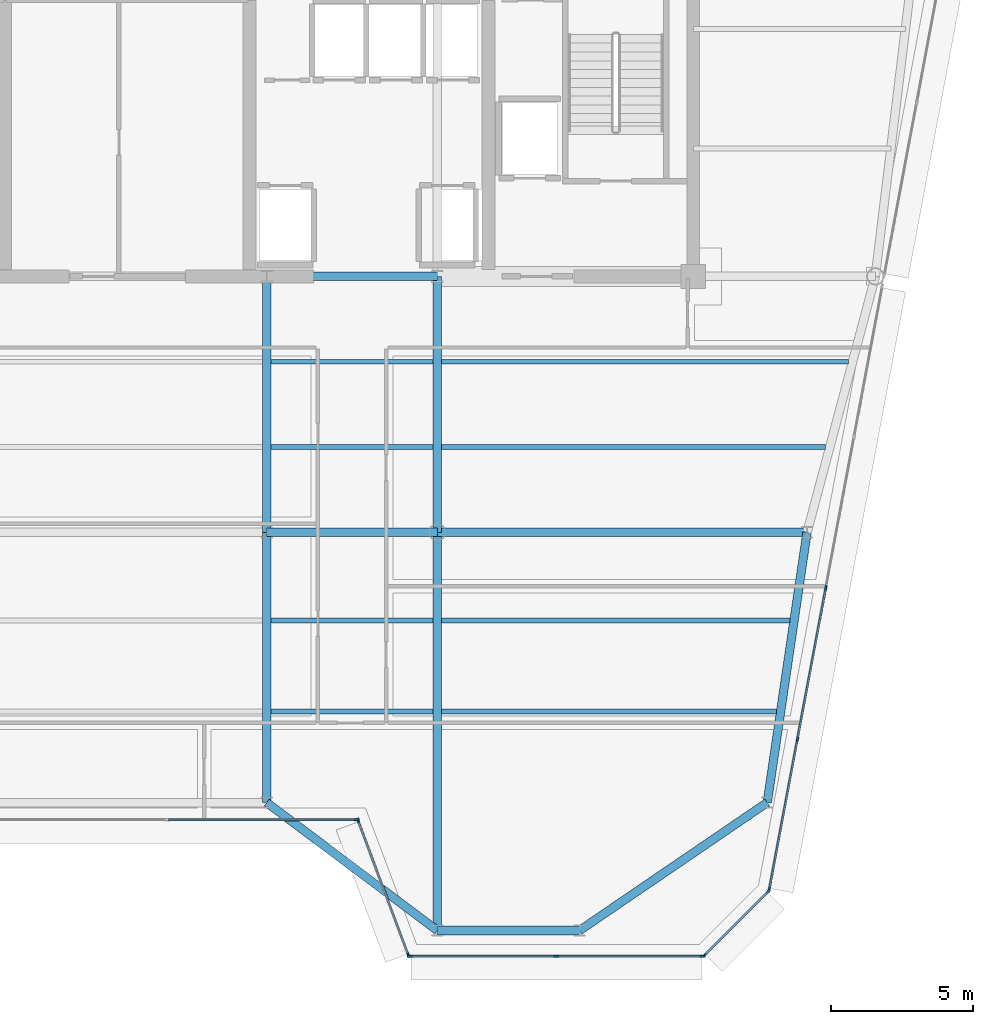
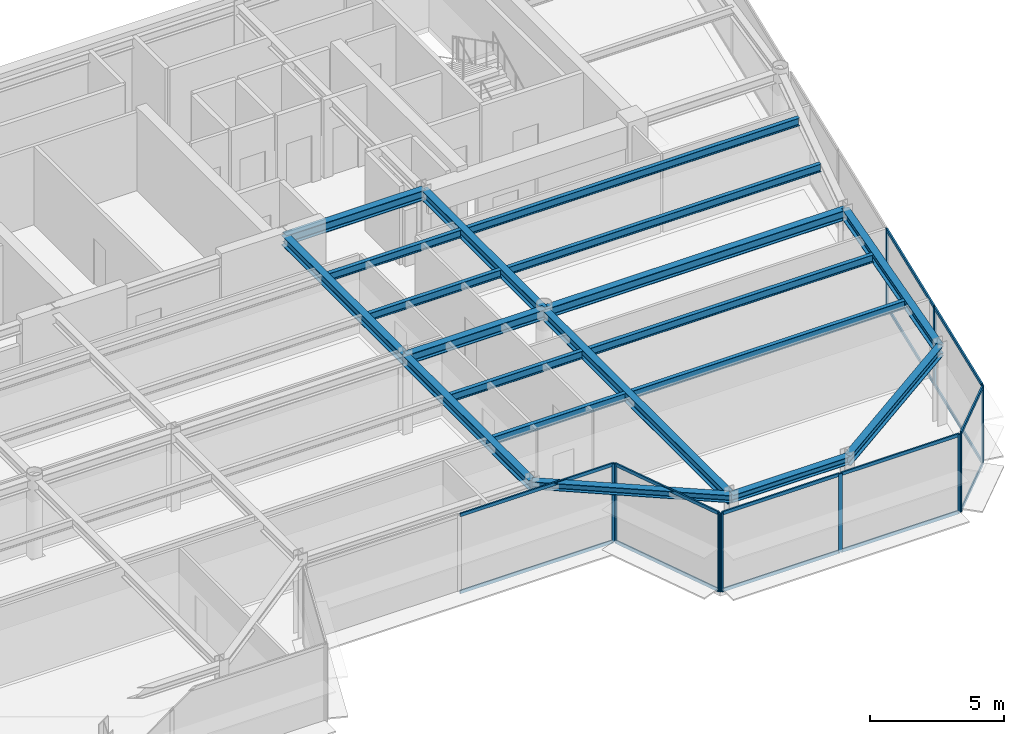
# One storey, part 6 of 19: 25 members, 19 beams, 5 elements without a shape of their own.
"""IFC4 building model written with IfcOpenShell, lengths in metres."""

from ifc_helpers import new_model, si_unit, direction, frame, origin, origin_2d, place, context, subcontext, project, spatial, rectangle, i_section, extrude, source, transform, mapped, material, layer, layer_set, material_profile, profile_set, type_object, element, aggregate, save


model = new_model("IFC4")

# Units and contexts
model_context = context("Model", 3, precision=1e-05, world=origin(), true_north=direction((0.0, 1.0)))
body_context = subcontext(model_context, "Body", "Model", "MODEL_VIEW")
ifc_project = project(units=[si_unit("LENGTHUNIT", "METRE"), si_unit("AREAUNIT", "SQUARE_METRE"), si_unit("VOLUMEUNIT", "CUBIC_METRE"), si_unit("PLANEANGLEUNIT", "RADIAN"), si_unit("MASSUNIT", "GRAM", prefix="KILO")], contexts=[model_context])

# Site, building, storey
site_placement = place(None, origin())
site = spatial("IfcSite", under=ifc_project, at=site_placement, CompositionType="ELEMENT")
building_placement = place(site_placement, origin())
building = spatial("IfcBuilding", under=site, at=building_placement, Name="Vaeldorn Concourse Tower", CompositionType="ELEMENT")
storey_placement = place(building_placement, frame((0.0, 0.0, 287.800048828125)))
storey = spatial("IfcBuildingStorey", under=building, at=storey_placement, Name="L74", CompositionType="ELEMENT", Elevation=287.800048828125)

# Beams
ifc_material_1 = material(Name="Steel S355", Category="steel")
ifc_material_profile_1 = material_profile(ifc_material_1, i_section(OverallWidth=0.300048828125, OverallDepth=0.449951171875, WebThickness=0.013916015625, FlangeThickness=0.02587890625, FilletRadius=0.027099609375, at=origin_2d()), Name="HEB 450")
ifc_profile_set_1 = profile_set([ifc_material_profile_1], Name="Steel S355")
beam_type_1 = type_object("IfcBeamType", Name="BM-PG-HEB450", PredefinedType="BEAM", material=ifc_profile_set_1)
shared_shape_1 = source(origin(), body_context, "Body", "SweptSolid", [
    extrude(i_section(OverallWidth=0.300048828125, OverallDepth=0.449951171875, WebThickness=0.013916015625, FlangeThickness=0.02587890625, FilletRadius=0.027099609375, at=origin_2d()), origin(), (0.0, 0.0, 1.0), 6.0),
])
for number, where, z_axis, x_axis, name in (
    (1, (39.0, 36.5, 3.35498046875), (1.0, 0.0, 0.0), (0.0, 1.0, 0.0), "Beam BM-L74-C-FC4-C-FC5"),
    (2, (39.0, 27.5, 3.35498046875), (1.0, 0.0, 0.0), (0.0, 1.0, 0.0), "Beam BM-L74-C-TW3-C-TW4"),
):
    element("IfcBeam", number, at=place(storey_placement, frame(where, z_axis=z_axis, x_axis=x_axis)), inside=storey, type_object=beam_type_1, Name=name, PredefinedType="BEAM", context=body_context, shape_type="MappedRepresentation", body=[
        mapped(shared_shape_1, transform((0.0, 0.0, 0.0), scale=1.0)),
    ])
ifc_material_profile_2 = material_profile(ifc_material_1, i_section(OverallWidth=0.169921875, OverallDepth=0.360107421875, WebThickness=0.008056640625, FlangeThickness=0.0126953125, FilletRadius=0.01806640625, at=origin_2d()), Name="IPE 360")
ifc_profile_set_2 = profile_set([ifc_material_profile_2], Name="Steel S355")
beam_type_2 = type_object("IfcBeamType", Name="BM-JS-IPE360", PredefinedType="JOIST", material=ifc_profile_set_2)
shared_shape_2 = source(origin(), body_context, "Body", "SweptSolid", [
    extrude(i_section(OverallWidth=0.169921875, OverallDepth=0.360107421875, WebThickness=0.008056640625, FlangeThickness=0.0126953125, FilletRadius=0.01806640625, at=origin_2d()), origin(), (0.0, 0.0, 1.0), 11.771728515625),
])
beam_1_placement = place(storey_placement, frame((45.14990234375, 21.199951171875, 3.39990234375), z_axis=(1.0, 0.0, 0.0), x_axis=(0.0, 1.0, 0.0)))
element("IfcBeam", 3, at=beam_1_placement, inside=storey, type_object=beam_type_2, Name="Beam JS-L74-E1-212", PredefinedType="JOIST", context=body_context, shape_type="MappedRepresentation", body=[
    mapped(shared_shape_2, transform((0.0, 0.0, 0.0), scale=1.0)),
])
shared_shape_3 = source(origin(), body_context, "Body", "SweptSolid", [
    extrude(i_section(OverallWidth=0.169921875, OverallDepth=0.360107421875, WebThickness=0.008056640625, FlangeThickness=0.0126953125, FilletRadius=0.01806640625, at=origin_2d()), origin(), (0.0, 0.0, 1.0), 5.7001953125),
])
for number, where, z_axis, x_axis, name in (
    (4, (39.14990234375, 21.199951171875, 3.39990234375), (1.0, 0.0, 0.0), (0.0, 1.0, 0.0), "Beam JS-L74-E2-212"),
    (5, (39.14990234375, 24.39990234375, 3.39990234375), (1.0, 0.0, 0.0), (0.0, 1.0, 0.0), "Beam JS-L74-E2-244"),
    (6, (39.14990234375, 30.5, 3.39990234375), (1.0, 0.0, 0.0), (0.0, 1.0, 0.0), "Beam JS-L74-E2-305"),
    (7, (39.14990234375, 33.5, 3.39990234375), (1.0, 0.0, 0.0), (0.0, 1.0, 0.0), "Beam JS-L74-E2-335"),
):
    element("IfcBeam", number, at=place(storey_placement, frame(where, z_axis=z_axis, x_axis=x_axis)), inside=storey, type_object=beam_type_2, Name=name, PredefinedType="JOIST", context=body_context, shape_type="MappedRepresentation", body=[
        mapped(shared_shape_3, transform((0.0, 0.0, 0.0), scale=1.0)),
    ])
shared_shape_4 = source(origin(), body_context, "Body", "SweptSolid", [
    extrude(i_section(OverallWidth=0.169921875, OverallDepth=0.360107421875, WebThickness=0.008056640625, FlangeThickness=0.0126953125, FilletRadius=0.01806640625, at=origin_2d()), origin(), (0.0, 0.0, 1.0), 12.243408203125),
])
beam_2_placement = place(storey_placement, frame((45.14990234375, 24.39990234375, 3.39990234375), z_axis=(1.0, 0.0, 0.0), x_axis=(0.0, 1.0, 0.0)))
element("IfcBeam", 8, at=beam_2_placement, inside=storey, type_object=beam_type_2, Name="Beam JS-L74-E1-244", PredefinedType="JOIST", context=body_context, shape_type="MappedRepresentation", body=[
    mapped(shared_shape_4, transform((0.0, 0.0, 0.0), scale=1.0)),
])
shared_shape_5 = source(origin(), body_context, "Body", "SweptSolid", [
    extrude(i_section(OverallWidth=0.169921875, OverallDepth=0.360107421875, WebThickness=0.008056640625, FlangeThickness=0.0126953125, FilletRadius=0.01806640625, at=origin_2d()), origin(), (0.0, 0.0, 1.0), 13.5),
])
beam_3_placement = place(storey_placement, frame((45.14990234375, 30.5, 3.39990234375), z_axis=(1.0, 0.0, 0.0), x_axis=(0.0, 1.0, 0.0)))
element("IfcBeam", 9, at=beam_3_placement, inside=storey, type_object=beam_type_2, Name="Beam JS-L74-E1-305", PredefinedType="JOIST", context=body_context, shape_type="MappedRepresentation", body=[
    mapped(shared_shape_5, transform((0.0, 0.0, 0.0), scale=1.0)),
])
shared_shape_6 = source(origin(), body_context, "Body", "SweptSolid", [
    extrude(i_section(OverallWidth=0.169921875, OverallDepth=0.360107421875, WebThickness=0.008056640625, FlangeThickness=0.0126953125, FilletRadius=0.01806640625, at=origin_2d()), origin(), (0.0, 0.0, 1.0), 14.300048828125),
])
beam_4_placement = place(storey_placement, frame((45.14990234375, 33.5, 3.39990234375), z_axis=(1.0, 0.0, 0.0), x_axis=(0.0, 1.0, 0.0)))
element("IfcBeam", 10, at=beam_4_placement, inside=storey, type_object=beam_type_2, Name="Beam JS-L74-E1-335", PredefinedType="JOIST", context=body_context, shape_type="MappedRepresentation", body=[
    mapped(shared_shape_6, transform((0.0, 0.0, 0.0), scale=1.0)),
])
ifc_material_profile_3 = material_profile(ifc_material_1, i_section(OverallWidth=0.300048828125, OverallDepth=0.340087890625, WebThickness=0.011962890625, FlangeThickness=0.021484375, FilletRadius=0.027099609375, at=origin_2d()), Name="HEB 340")
ifc_profile_set_3 = profile_set([ifc_material_profile_3], Name="Steel S355")
beam_type_3 = type_object("IfcBeamType", Name="BM-SP-HEB340", PredefinedType="SPANDREL", material=ifc_profile_set_3)
shared_shape_7 = source(origin(), body_context, "Body", "SweptSolid", [
    extrude(i_section(OverallWidth=0.300048828125, OverallDepth=0.340087890625, WebThickness=0.011962890625, FlangeThickness=0.021484375, FilletRadius=0.027099609375, at=origin_2d()), origin(), (0.0, 0.0, 1.0), 5.0),
])
beam_5_placement = place(storey_placement, frame((45.0, 13.5, 3.409912109375), z_axis=(1.0, 0.0, 0.0), x_axis=(0.0, 1.0, 0.0)))
element("IfcBeam", 11, at=beam_5_placement, inside=storey, type_object=beam_type_3, Name="Beam BM-L74-C-SF5-C-SF6", PredefinedType="SPANDREL", context=body_context, shape_type="MappedRepresentation", body=[
    mapped(shared_shape_7, transform((0.0, 0.0, 0.0), scale=1.0)),
])
shared_shape_8 = source(origin(), body_context, "Body", "SweptSolid", [
    extrude(i_section(OverallWidth=0.300048828125, OverallDepth=0.340087890625, WebThickness=0.011962890625, FlangeThickness=0.021484375, FilletRadius=0.027099609375, at=origin_2d()), origin(), (0.0, 0.0, 1.0), 7.5),
])
beam_6_placement = place(storey_placement, frame((39.0, 18.0, 3.409912109375), z_axis=(0.8, -0.6, 0.0), x_axis=(0.6, 0.8, 0.0)))
element("IfcBeam", 12, at=beam_6_placement, inside=storey, type_object=beam_type_3, Name="Beam BM-L74-C-SF4-C-SF5", PredefinedType="SPANDREL", context=body_context, shape_type="MappedRepresentation", body=[
    mapped(shared_shape_8, transform((0.0, 0.0, 0.0), scale=1.0)),
])
shared_shape_9 = source(origin(), body_context, "Body", "SweptSolid", [
    extrude(i_section(OverallWidth=0.300048828125, OverallDepth=0.449951171875, WebThickness=0.013916015625, FlangeThickness=0.02587890625, FilletRadius=0.027099609375, at=origin_2d()), origin(), (0.0, 0.0, 1.0), 9.0),
])
for number, where, z_axis, x_axis, name in (
    (13, (39.0, 27.5, 3.35498046875), (0.0, 1.0, 0.0), (-1.0, 0.0, 0.0), "Beam BM-L74-C-TW3-C-FC4"),
    (14, (45.0, 27.5, 3.35498046875), (0.0, 1.0, 0.0), (-1.0, 0.0, 0.0), "Beam BM-L74-C-TW4-C-FC5"),
):
    element("IfcBeam", number, at=place(storey_placement, frame(where, z_axis=z_axis, x_axis=x_axis)), inside=storey, type_object=beam_type_1, Name=name, PredefinedType="BEAM", context=body_context, shape_type="MappedRepresentation", body=[
        mapped(shared_shape_9, transform((0.0, 0.0, 0.0), scale=1.0)),
    ])
shared_shape_10 = source(origin(), body_context, "Body", "SweptSolid", [
    extrude(i_section(OverallWidth=0.300048828125, OverallDepth=0.449951171875, WebThickness=0.013916015625, FlangeThickness=0.02587890625, FilletRadius=0.027099609375, at=origin_2d()), origin(), (0.0, 0.0, 1.0), 14.0),
])
beam_7_placement = place(storey_placement, frame((45.0, 13.5, 3.35498046875), z_axis=(0.0, 1.0, 0.0), x_axis=(-1.0, 0.0, 0.0)))
element("IfcBeam", 15, at=beam_7_placement, inside=storey, type_object=beam_type_1, Name="Beam BM-L74-C-SF5-C-TW4", PredefinedType="BEAM", context=body_context, shape_type="MappedRepresentation", body=[
    mapped(shared_shape_10, transform((0.0, 0.0, 0.0), scale=1.0)),
])
shared_shape_11 = source(origin(), body_context, "Body", "SweptSolid", [
    extrude(i_section(OverallWidth=0.300048828125, OverallDepth=0.449951171875, WebThickness=0.013916015625, FlangeThickness=0.02587890625, FilletRadius=0.027099609375, at=origin_2d()), origin(), (0.0, 0.0, 1.0), 13.0),
])
beam_8_placement = place(storey_placement, frame((45.0, 27.5, 3.35498046875), z_axis=(1.0, 0.0, 0.0), x_axis=(0.0, 1.0, 0.0)))
element("IfcBeam", 16, at=beam_8_placement, inside=storey, type_object=beam_type_1, Name="Beam BM-L74-C-TW4-C-FLE1", PredefinedType="BEAM", context=body_context, shape_type="MappedRepresentation", body=[
    mapped(shared_shape_11, transform((0.0, 0.0, 0.0), scale=1.0)),
])
shared_shape_12 = source(origin(), body_context, "Body", "SweptSolid", [
    extrude(i_section(OverallWidth=0.300048828125, OverallDepth=0.449951171875, WebThickness=0.013916015625, FlangeThickness=0.02587890625, FilletRadius=0.027099609375, at=origin_2d()), origin(), (0.0, 0.0, 1.0), 9.6025390625),
])
beam_9_placement = place(storey_placement, frame((58.0, 27.5, 3.35498046875), z_axis=(-0.145783835977, -0.989316467652, 0.0), x_axis=(0.989316467652, -0.145783835977, 0.0)))
element("IfcBeam", 17, at=beam_9_placement, inside=storey, type_object=beam_type_1, Name="Beam BM-L74-C-FLE1-C-FLE2", PredefinedType="BEAM", context=body_context, shape_type="MappedRepresentation", body=[
    mapped(shared_shape_12, transform((0.0, 0.0, 0.0), scale=1.0)),
])
shared_shape_13 = source(origin(), body_context, "Body", "SweptSolid", [
    extrude(i_section(OverallWidth=0.300048828125, OverallDepth=0.449951171875, WebThickness=0.013916015625, FlangeThickness=0.02587890625, FilletRadius=0.027099609375, at=origin_2d()), origin(), (0.0, 0.0, 1.0), 7.98828125),
])
beam_10_placement = place(storey_placement, frame((50.0, 13.5, 3.35498046875), z_axis=(0.826231222393, 0.56333113454, 0.0), x_axis=(-0.56333113454, 0.826231222393, 0.0)))
element("IfcBeam", 18, at=beam_10_placement, inside=storey, type_object=beam_type_1, Name="Beam BM-L74-C-SF6-C-FLE2", PredefinedType="BEAM", context=body_context, shape_type="MappedRepresentation", body=[
    mapped(shared_shape_13, transform((0.0, 0.0, 0.0), scale=1.0)),
])
shared_shape_14 = source(origin(), body_context, "Body", "SweptSolid", [
    extrude(i_section(OverallWidth=0.300048828125, OverallDepth=0.449951171875, WebThickness=0.013916015625, FlangeThickness=0.02587890625, FilletRadius=0.027099609375, at=origin_2d()), origin(), (0.0, 0.0, 1.0), 9.5),
])
beam_11_placement = place(storey_placement, frame((39.0, 18.0, 3.35498046875), z_axis=(0.0, 1.0, 0.0), x_axis=(-1.0, 0.0, 0.0)))
element("IfcBeam", 19, at=beam_11_placement, inside=storey, type_object=beam_type_1, Name="Beam BM-L74-C-SF4-C-TW3", PredefinedType="BEAM", context=body_context, shape_type="MappedRepresentation", body=[
    mapped(shared_shape_14, transform((0.0, 0.0, 0.0), scale=1.0)),
])

# Curtain wall, member
ifc_material_2 = material(Name="Anodised Bronze Aluminium", Category="aluminium")
ifc_layer = layer(ifc_material_2, 0.179931640625)
ifc_layer_set = layer_set([ifc_layer], Name="Anodised Bronze Aluminium")
curtain_wall_type = type_object("IfcCurtainWallType", Name="CW-SYS-05", PredefinedType="NOTDEFINED", material=ifc_layer_set)
curtain_wall_1_placement = place(storey_placement, origin())
curtain_wall_1 = element("IfcCurtainWall", 20, at=curtain_wall_1_placement, inside=storey, type_object=curtain_wall_type, Name="Unitised Curtain Wall CW-L74-E03-1", PredefinedType="NOTDEFINED")
ifc_material_profile_4 = material_profile(ifc_material_2, rectangle(XDim=0.06494140625, YDim=0.169921875, at=origin_2d()), Name="CWM 65x170")
ifc_profile_set_4 = profile_set([ifc_material_profile_4], Name="Anodised Bronze Aluminium")
member_type_1 = type_object("IfcMemberType", Name="CWM-BRONZE-170", PredefinedType="MULLION", material=ifc_profile_set_4)
shared_shape_15 = source(origin(), body_context, "Body", "SweptSolid", [
    extrude(rectangle(XDim=0.06494140625, YDim=0.169921875, at=origin_2d()), origin(), (0.0, 0.0, 1.0), 3.579833984375),
])
member_1_placement = place(storey_placement, frame((42.16748046875, 17.39990234375, 0.0), z_axis=(0.0, 0.0, 1.0), x_axis=(0.0, 1.0, 0.0)))
member_1 = element("IfcMember", 21, at=member_1_placement, type_object=member_type_1, Name="CW-05 mullion 3", PredefinedType="MULLION", context=body_context, shape_type="MappedRepresentation", body=[
    mapped(shared_shape_15, transform((0.0, 0.0, 0.0), scale=1.0)),
])

# Curtain wall, members
curtain_wall_2_placement = place(storey_placement, origin())
curtain_wall_2 = element("IfcCurtainWall", 22, at=curtain_wall_2_placement, inside=storey, type_object=curtain_wall_type, Name="Unitised Curtain Wall CW-L74-E04-1", PredefinedType="NOTDEFINED")
member_2_placement = place(storey_placement, frame((42.21142578125, 17.36962890625, 0.0), z_axis=(0.0, 0.0, 1.0), x_axis=(0.936329177566, 0.351123441595, 0.0)))
member_2 = element("IfcMember", 23, at=member_2_placement, type_object=member_type_1, Name="CW-05 mullion 1", PredefinedType="MULLION", context=body_context, shape_type="MappedRepresentation", body=[
    mapped(shared_shape_15, transform((0.0, 0.0, 0.0), scale=1.0)),
])
member_3_placement = place(storey_placement, frame((43.988525390625, 12.63037109375, 0.0), z_axis=(0.0, 0.0, 1.0), x_axis=(0.936329177566, 0.351123441595, 0.0)))
member_3 = element("IfcMember", 24, at=member_3_placement, type_object=member_type_1, Name="CW-05 mullion 2", PredefinedType="MULLION", context=body_context, shape_type="MappedRepresentation", body=[
    mapped(shared_shape_15, transform((0.0, 0.0, 0.0), scale=1.0)),
])

curtain_wall_3_placement = place(storey_placement, origin())
curtain_wall_3 = element("IfcCurtainWall", 25, at=curtain_wall_3_placement, inside=storey, type_object=curtain_wall_type, Name="Unitised Curtain Wall CW-L74-E05-1", PredefinedType="NOTDEFINED")
member_4_placement = place(storey_placement, frame((44.032470703125, 12.60009765625, 0.0), z_axis=(0.0, 0.0, 1.0), x_axis=(0.0, 1.0, 0.0)))
member_4 = element("IfcMember", 26, at=member_4_placement, type_object=member_type_1, Name="CW-05 mullion 1", PredefinedType="MULLION", context=body_context, shape_type="MappedRepresentation", body=[
    mapped(shared_shape_15, transform((0.0, 0.0, 0.0), scale=1.0)),
])
member_5_placement = place(storey_placement, frame((49.181884765625, 12.60009765625, 0.0), z_axis=(0.0, 0.0, 1.0), x_axis=(0.0, 1.0, 0.0)))
member_5 = element("IfcMember", 27, at=member_5_placement, type_object=member_type_1, Name="CW-05 mullion 2", PredefinedType="MULLION", context=body_context, shape_type="MappedRepresentation", body=[
    mapped(shared_shape_15, transform((0.0, 0.0, 0.0), scale=1.0)),
])
member_6_placement = place(storey_placement, frame((54.33154296875, 12.60009765625, 0.0), z_axis=(0.0, 0.0, 1.0), x_axis=(0.0, 1.0, 0.0)))
member_6 = element("IfcMember", 28, at=member_6_placement, type_object=member_type_1, Name="CW-05 mullion 3", PredefinedType="MULLION", context=body_context, shape_type="MappedRepresentation", body=[
    mapped(shared_shape_15, transform((0.0, 0.0, 0.0), scale=1.0)),
])

curtain_wall_4_placement = place(storey_placement, origin())
curtain_wall_4 = element("IfcCurtainWall", 29, at=curtain_wall_4_placement, inside=storey, type_object=curtain_wall_type, Name="Unitised Curtain Wall CW-L74-E06-1", PredefinedType="NOTDEFINED")
member_7_placement = place(storey_placement, frame((54.386962890625, 12.623046875, 0.0), z_axis=(0.0, 0.0, 1.0), x_axis=(-0.707106781187, 0.707106781187, 0.0)))
member_7 = element("IfcMember", 30, at=member_7_placement, type_object=member_type_1, Name="CW-05 mullion 1", PredefinedType="MULLION", context=body_context, shape_type="MappedRepresentation", body=[
    mapped(shared_shape_15, transform((0.0, 0.0, 0.0), scale=1.0)),
])
member_8_placement = place(storey_placement, frame((56.64111328125, 14.876953125, 0.0), z_axis=(0.0, 0.0, 1.0), x_axis=(-0.707106781187, 0.707106781187, 0.0)))
member_8 = element("IfcMember", 31, at=member_8_placement, type_object=member_type_1, Name="CW-05 mullion 2", PredefinedType="MULLION", context=body_context, shape_type="MappedRepresentation", body=[
    mapped(shared_shape_15, transform((0.0, 0.0, 0.0), scale=1.0)),
])

curtain_wall_5_placement = place(storey_placement, origin())
curtain_wall_5 = element("IfcCurtainWall", 32, at=curtain_wall_5_placement, inside=storey, type_object=curtain_wall_type, Name="Unitised Curtain Wall CW-L74-E07-1", PredefinedType="NOTDEFINED")
member_9_placement = place(storey_placement, frame((56.669921875, 14.931884765625, 0.0), z_axis=(0.0, 0.0, 1.0), x_axis=(-0.982880027444, 0.184246714088, 0.0)))
member_9 = element("IfcMember", 33, at=member_9_placement, type_object=member_type_1, Name="CW-05 mullion 1", PredefinedType="MULLION", context=body_context, shape_type="MappedRepresentation", body=[
    mapped(shared_shape_15, transform((0.0, 0.0, 0.0), scale=1.0)),
])
member_10_placement = place(storey_placement, frame((57.66162109375, 20.22119140625, 0.0), z_axis=(0.0, 0.0, 1.0), x_axis=(-0.982880027444, 0.184246714088, 0.0)))
member_10 = element("IfcMember", 34, at=member_10_placement, type_object=member_type_1, Name="CW-05 mullion 2", PredefinedType="MULLION", context=body_context, shape_type="MappedRepresentation", body=[
    mapped(shared_shape_15, transform((0.0, 0.0, 0.0), scale=1.0)),
])
member_11_placement = place(storey_placement, frame((58.658935546875, 25.54248046875, 0.0), z_axis=(0.0, 0.0, 1.0), x_axis=(-0.982880027444, 0.184246714088, 0.0)))
member_11 = element("IfcMember", 35, at=member_11_placement, type_object=member_type_1, Name="CW-05 mullion 3", PredefinedType="MULLION", context=body_context, shape_type="MappedRepresentation", body=[
    mapped(shared_shape_15, transform((0.0, 0.0, 0.0), scale=1.0)),
])

# Member
ifc_material_profile_5 = material_profile(ifc_material_2, rectangle(XDim=0.06494140625, YDim=0.14990234375, at=origin_2d()), Name="CWT 65x150")
ifc_profile_set_5 = profile_set([ifc_material_profile_5], Name="Anodised Bronze Aluminium")
member_type_2 = type_object("IfcMemberType", Name="CWT-BRONZE-150", PredefinedType="USERDEFINED", material=ifc_profile_set_5)
shared_shape_16 = source(origin(), body_context, "Body", "SweptSolid", [
    extrude(rectangle(XDim=0.06494140625, YDim=0.14990234375, at=origin_2d()), origin(), (0.0, 0.0, 1.0), 4.996337890625),
])
member_12_placement = place(storey_placement, frame((42.222900390625, 17.339111328125, 0.032470703125), z_axis=(0.351134151405, -0.936325161318, 0.0), x_axis=(0.936325161318, 0.351134151405, 0.0)))
member_12 = element("IfcMember", 36, at=member_12_placement, type_object=member_type_2, Name="CW-05 transom 1.1", ObjectType="TRANSOM", PredefinedType="USERDEFINED", context=body_context, shape_type="MappedRepresentation", body=[
    mapped(shared_shape_16, transform((0.0, 0.0, 0.0), scale=1.0)),
])

member_13_placement = place(storey_placement, frame((42.222900390625, 17.339111328125, 3.54736328125), z_axis=(0.351134151405, -0.936325161318, 0.0), x_axis=(0.936325161318, 0.351134151405, 0.0)))
member_13 = element("IfcMember", 37, at=member_13_placement, type_object=member_type_2, Name="CW-05 transom 1.2", ObjectType="TRANSOM", PredefinedType="USERDEFINED", context=body_context, shape_type="MappedRepresentation", body=[
    mapped(shared_shape_16, transform((0.0, 0.0, 0.0), scale=1.0)),
])

aggregate(curtain_wall_2, [member_2, member_3, member_12, member_13])

shared_shape_17 = source(origin(), body_context, "Body", "SweptSolid", [
    extrude(rectangle(XDim=0.06494140625, YDim=0.14990234375, at=origin_2d()), origin(), (0.0, 0.0, 1.0), 6.6025390625),
])
member_14_placement = place(storey_placement, frame((35.532470703125, 17.39990234375, 0.032470703125), z_axis=(1.0, 0.0, 0.0), x_axis=(0.0, 1.0, 0.0)))
member_14 = element("IfcMember", 38, at=member_14_placement, type_object=member_type_2, Name="CW-05 transom 2.1", ObjectType="TRANSOM", PredefinedType="USERDEFINED", context=body_context, shape_type="MappedRepresentation", body=[
    mapped(shared_shape_17, transform((0.0, 0.0, 0.0), scale=1.0)),
])

member_15_placement = place(storey_placement, frame((35.532470703125, 17.39990234375, 3.54736328125), z_axis=(1.0, 0.0, 0.0), x_axis=(0.0, 1.0, 0.0)))
member_15 = element("IfcMember", 39, at=member_15_placement, type_object=member_type_2, Name="CW-05 transom 2.2", ObjectType="TRANSOM", PredefinedType="USERDEFINED", context=body_context, shape_type="MappedRepresentation", body=[
    mapped(shared_shape_17, transform((0.0, 0.0, 0.0), scale=1.0)),
])

aggregate(curtain_wall_1, [member_1, member_14, member_15])

shared_shape_18 = source(origin(), body_context, "Body", "SweptSolid", [
    extrude(rectangle(XDim=0.06494140625, YDim=0.14990234375, at=origin_2d()), origin(), (0.0, 0.0, 1.0), 3.12255859375),
])
member_16_placement = place(storey_placement, frame((54.409912109375, 12.64599609375, 0.032470703125), z_axis=(0.707106781187, 0.707106781187, 0.0), x_axis=(-0.707106781187, 0.707106781187, 0.0)))
member_16 = element("IfcMember", 40, at=member_16_placement, type_object=member_type_2, Name="CW-05 transom 1.1", ObjectType="TRANSOM", PredefinedType="USERDEFINED", context=body_context, shape_type="MappedRepresentation", body=[
    mapped(shared_shape_18, transform((0.0, 0.0, 0.0), scale=1.0)),
])

member_17_placement = place(storey_placement, frame((54.409912109375, 12.64599609375, 3.54736328125), z_axis=(0.707106781187, 0.707106781187, 0.0), x_axis=(-0.707106781187, 0.707106781187, 0.0)))
member_17 = element("IfcMember", 41, at=member_17_placement, type_object=member_type_2, Name="CW-05 transom 1.2", ObjectType="TRANSOM", PredefinedType="USERDEFINED", context=body_context, shape_type="MappedRepresentation", body=[
    mapped(shared_shape_18, transform((0.0, 0.0, 0.0), scale=1.0)),
])

aggregate(curtain_wall_4, [member_7, member_8, member_16, member_17])

shared_shape_19 = source(origin(), body_context, "Body", "SweptSolid", [
    extrude(rectangle(XDim=0.06494140625, YDim=0.14990234375, at=origin_2d()), origin(), (0.0, 0.0, 1.0), 5.31640625),
])
member_18_placement = place(storey_placement, frame((56.676025390625, 14.9638671875, 0.032470703125), z_axis=(0.184241399207, 0.982881023735, 0.0), x_axis=(-0.982881023735, 0.184241399207, 0.0)))
member_18 = element("IfcMember", 42, at=member_18_placement, type_object=member_type_2, Name="CW-05 transom 1.1", ObjectType="TRANSOM", PredefinedType="USERDEFINED", context=body_context, shape_type="MappedRepresentation", body=[
    mapped(shared_shape_19, transform((0.0, 0.0, 0.0), scale=1.0)),
])

member_19_placement = place(storey_placement, frame((56.676025390625, 14.9638671875, 3.54736328125), z_axis=(0.184241399207, 0.982881023735, 0.0), x_axis=(-0.982881023735, 0.184241399207, 0.0)))
member_19 = element("IfcMember", 43, at=member_19_placement, type_object=member_type_2, Name="CW-05 transom 1.2", ObjectType="TRANSOM", PredefinedType="USERDEFINED", context=body_context, shape_type="MappedRepresentation", body=[
    mapped(shared_shape_19, transform((0.0, 0.0, 0.0), scale=1.0)),
])

shared_shape_20 = source(origin(), body_context, "Body", "SweptSolid", [
    extrude(rectangle(XDim=0.06494140625, YDim=0.14990234375, at=origin_2d()), origin(), (0.0, 0.0, 1.0), 5.348876953125),
])
member_20_placement = place(storey_placement, frame((57.66748046875, 20.253173828125, 0.032470703125), z_axis=(0.184260976912, 0.982877353685, 0.0), x_axis=(-0.982877353685, 0.184260976912, 0.0)))
member_20 = element("IfcMember", 44, at=member_20_placement, type_object=member_type_2, Name="CW-05 transom 2.1", ObjectType="TRANSOM", PredefinedType="USERDEFINED", context=body_context, shape_type="MappedRepresentation", body=[
    mapped(shared_shape_20, transform((0.0, 0.0, 0.0), scale=1.0)),
])

member_21_placement = place(storey_placement, frame((57.66748046875, 20.253173828125, 3.54736328125), z_axis=(0.184260976912, 0.982877353685, 0.0), x_axis=(-0.982877353685, 0.184260976912, 0.0)))
member_21 = element("IfcMember", 45, at=member_21_placement, type_object=member_type_2, Name="CW-05 transom 2.2", ObjectType="TRANSOM", PredefinedType="USERDEFINED", context=body_context, shape_type="MappedRepresentation", body=[
    mapped(shared_shape_20, transform((0.0, 0.0, 0.0), scale=1.0)),
])

aggregate(curtain_wall_5, [member_9, member_10, member_11, member_18, member_19, member_20, member_21])

shared_shape_21 = source(origin(), body_context, "Body", "SweptSolid", [
    extrude(rectangle(XDim=0.06494140625, YDim=0.14990234375, at=origin_2d()), origin(), (0.0, 0.0, 1.0), 5.08447265625),
])
member_22_placement = place(storey_placement, frame((44.06494140625, 12.60009765625, 0.032470703125), z_axis=(1.0, 0.0, 0.0), x_axis=(0.0, 1.0, 0.0)))
member_22 = element("IfcMember", 46, at=member_22_placement, type_object=member_type_2, Name="CW-05 transom 1.1", ObjectType="TRANSOM", PredefinedType="USERDEFINED", context=body_context, shape_type="MappedRepresentation", body=[
    mapped(shared_shape_21, transform((0.0, 0.0, 0.0), scale=1.0)),
])

member_23_placement = place(storey_placement, frame((44.06494140625, 12.60009765625, 3.54736328125), z_axis=(1.0, 0.0, 0.0), x_axis=(0.0, 1.0, 0.0)))
member_23 = element("IfcMember", 47, at=member_23_placement, type_object=member_type_2, Name="CW-05 transom 1.2", ObjectType="TRANSOM", PredefinedType="USERDEFINED", context=body_context, shape_type="MappedRepresentation", body=[
    mapped(shared_shape_21, transform((0.0, 0.0, 0.0), scale=1.0)),
])

member_24_placement = place(storey_placement, frame((49.214599609375, 12.60009765625, 0.032470703125), z_axis=(1.0, 0.0, 0.0), x_axis=(0.0, 1.0, 0.0)))
member_24 = element("IfcMember", 48, at=member_24_placement, type_object=member_type_2, Name="CW-05 transom 2.1", ObjectType="TRANSOM", PredefinedType="USERDEFINED", context=body_context, shape_type="MappedRepresentation", body=[
    mapped(shared_shape_21, transform((0.0, 0.0, 0.0), scale=1.0)),
])

member_25_placement = place(storey_placement, frame((49.214599609375, 12.60009765625, 3.54736328125), z_axis=(1.0, 0.0, 0.0), x_axis=(0.0, 1.0, 0.0)))
member_25 = element("IfcMember", 49, at=member_25_placement, type_object=member_type_2, Name="CW-05 transom 2.2", ObjectType="TRANSOM", PredefinedType="USERDEFINED", context=body_context, shape_type="MappedRepresentation", body=[
    mapped(shared_shape_21, transform((0.0, 0.0, 0.0), scale=1.0)),
])

aggregate(curtain_wall_3, [member_4, member_5, member_6, member_22, member_23, member_24, member_25])

save(model, "model.ifc")
